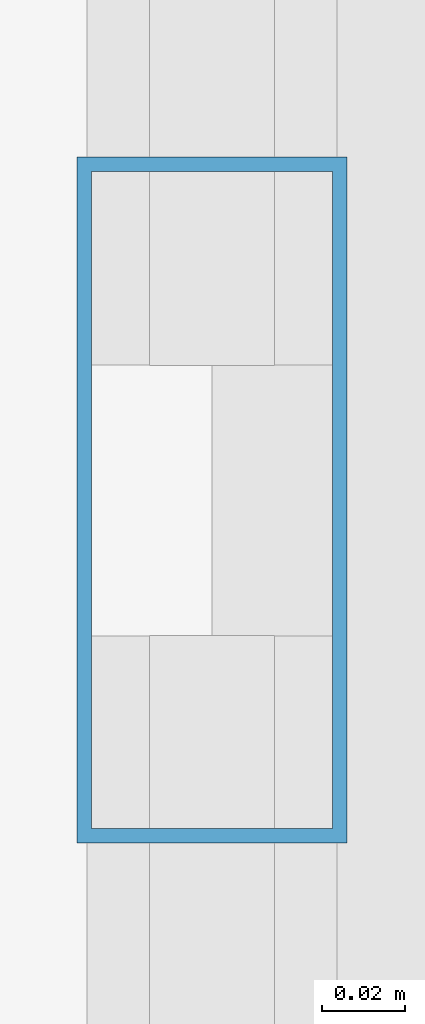
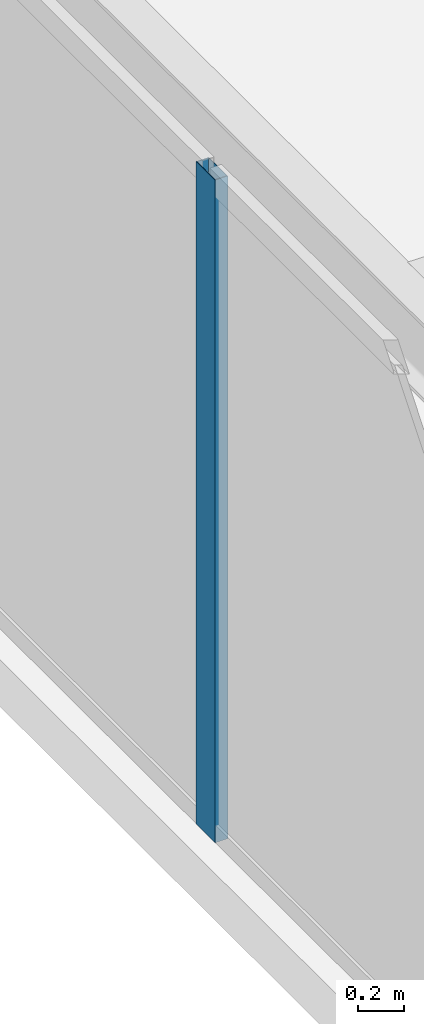
# One storey, part 7 of 30: 1 member, 1 element without a shape of its own.
"""IFC4 building model written with IfcOpenShell, lengths in metres."""

from ifc_helpers import new_model, si_unit, direction, frame, origin, origin_2d, place, context, subcontext, project, spatial, hollow_rectangle, extrude, source, transform, mapped, material, layer, layer_set, material_profile, profile_set, type_object, type_shapes, element, aggregate, save


model = new_model("IFC4")

# Units and contexts
model_context = context("Model", 3, precision=1e-05, world=origin(), true_north=direction((0.0, 1.0)))
body_context = subcontext(model_context, "Body", "Model", "MODEL_VIEW")
ifc_project = project(units=[si_unit("LENGTHUNIT", "METRE"), si_unit("AREAUNIT", "SQUARE_METRE"), si_unit("VOLUMEUNIT", "CUBIC_METRE"), si_unit("PLANEANGLEUNIT", "RADIAN"), si_unit("MASSUNIT", "GRAM", prefix="KILO")], contexts=[model_context])

# Site, building, storey
site_placement = place(None, origin())
site = spatial("IfcSite", under=ifc_project, at=site_placement, CompositionType="ELEMENT")
building_placement = place(site_placement, origin())
building = spatial("IfcBuilding", under=site, at=building_placement, Name="Varnel Quay Broadcast Tower", CompositionType="ELEMENT")
storey_placement = place(building_placement, frame((0.0, 0.0, 149.60009765625)))
storey = spatial("IfcBuildingStorey", under=building, at=storey_placement, Name="L36", CompositionType="ELEMENT", Elevation=149.60009765625)

# Curtain wall, member
ifc_material = material(Name="Anodised Bronze Aluminium 6063-T6", Category="aluminium")
ifc_layer = layer(ifc_material, 0.18994140625, Name="Anodised Bronze Aluminium 6063-T6")
ifc_layer_set = layer_set([ifc_layer], Name="Anodised Bronze Aluminium 6063-T6")
curtain_wall_type = type_object("IfcCurtainWallType", Name="CW_UpperTower", PredefinedType="NOTDEFINED", material=ifc_layer_set)
curtain_wall_placement = place(storey_placement, origin())
curtain_wall = element("IfcCurtainWall", 1, at=curtain_wall_placement, inside=storey, type_object=curtain_wall_type, Name="L36 West Unitised Curtain Wall", PredefinedType="NOTDEFINED")
ifc_material_profile = material_profile(ifc_material, hollow_rectangle(XDim=0.06494140625, YDim=0.1650390625, WallThickness=0.00341796875, at=origin_2d()), Name="ALU65X165X3.5")
ifc_profile_set = profile_set([ifc_material_profile], Name="Anodised Bronze Aluminium 6063-T6")
member_type = type_object("IfcMemberType", Name="Mull_CWS-03", PredefinedType="MULLION", material=ifc_profile_set)
shared_shape = source(origin(), body_context, "Body", "SweptSolid", [
    extrude(hollow_rectangle(XDim=0.06494140625, YDim=0.1650390625, WallThickness=0.00341796875, at=origin_2d()), origin(), (0.0, 0.0, 1.0), 3.5498046875),
])
type_shapes(member_type, [shared_shape])
member_placement = place(storey_placement, frame((7.14990234375, 21.60009765625, 0.0), z_axis=(0.0, 0.0, 1.0), x_axis=(-1.0, 0.0, 0.0)))
member = element("IfcMember", 2, at=member_placement, type_object=member_type, Name="CWS-03 mullion 2", PredefinedType="MULLION", context=body_context, shape_type="MappedRepresentation", body=[
    mapped(shared_shape, transform((0.0, 0.0, 0.0), x_axis=(1.0, 0.0, 0.0), y_axis=(0.0, 1.0, 0.0), z_axis=(0.0, 0.0, 1.0), scale=1.0)),
])
aggregate(curtain_wall, [member])

save(model, "model.ifc")
